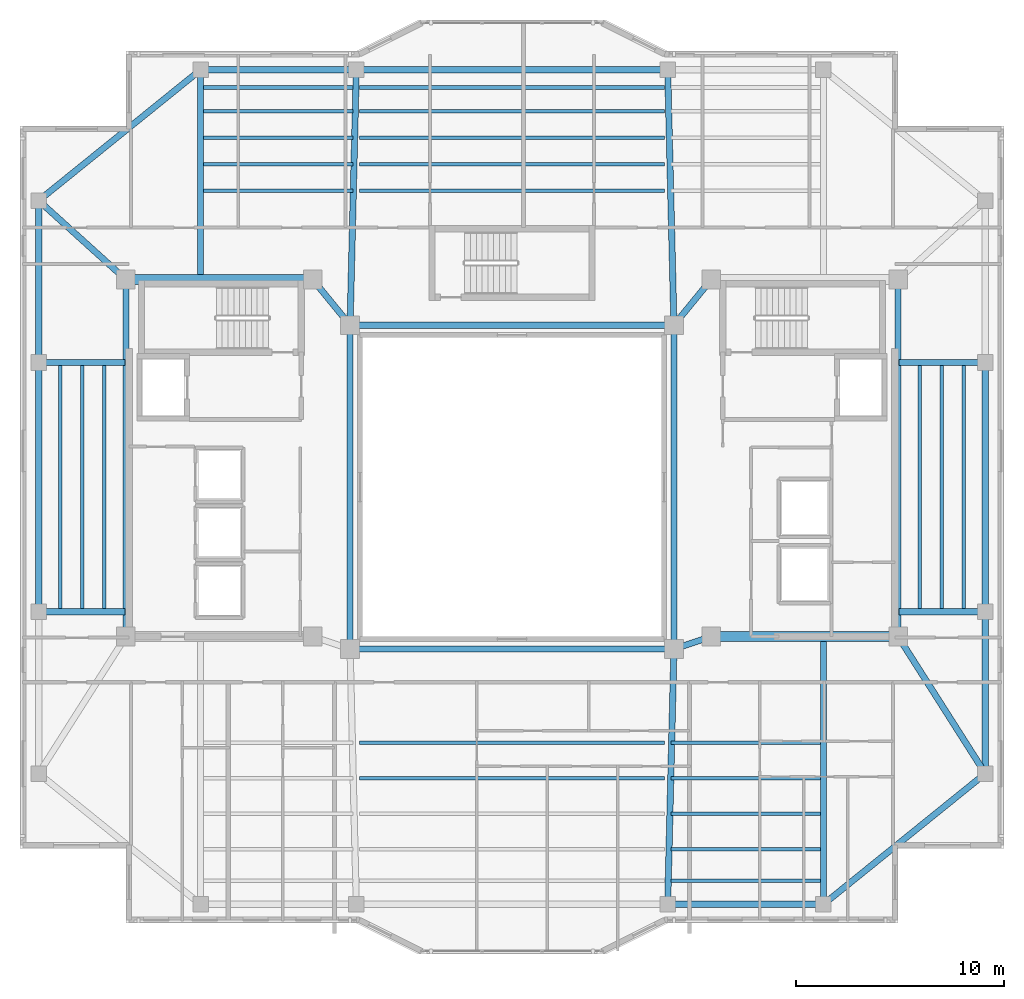
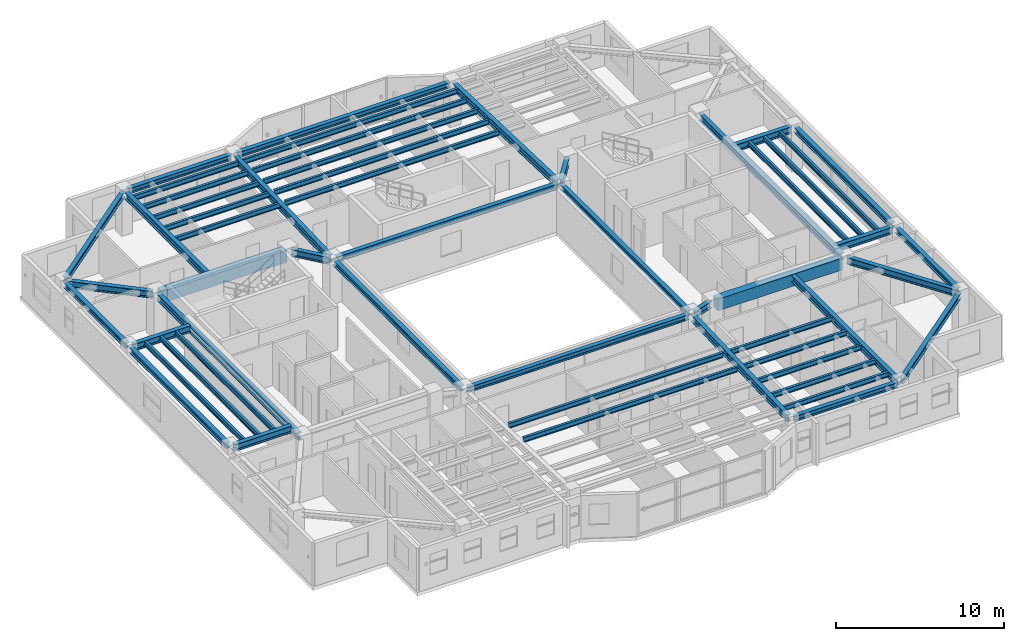
# One storey, part 3 of 14: 54 beams.
"""IFC4 building model written with IfcOpenShell, lengths in metres."""

from ifc_helpers import new_model, si_unit, direction, frame, origin, origin_2d, place, context, subcontext, project, spatial, rectangle, i_section, extrude, material, material_profile, profile_set, type_object, element, save


model = new_model("IFC4")

# Units and contexts
model_context = context("Model", 3, precision=1e-05, world=origin(), true_north=direction((0.0, 1.0)))
body_context = subcontext(model_context, "Body", "Model", "MODEL_VIEW")
ifc_project = project(units=[si_unit("LENGTHUNIT", "METRE"), si_unit("AREAUNIT", "SQUARE_METRE"), si_unit("VOLUMEUNIT", "CUBIC_METRE"), si_unit("PLANEANGLEUNIT", "RADIAN"), si_unit("MASSUNIT", "GRAM", prefix="KILO")], contexts=[model_context])

# Site, building, storey
site_placement = place(None, origin())
site = spatial("IfcSite", under=ifc_project, at=site_placement, CompositionType="ELEMENT")
building_placement = place(site_placement, origin())
building = spatial("IfcBuilding", under=site, at=building_placement, Name="Tarnavaz Court Tower", CompositionType="ELEMENT")
storey_placement = place(building_placement, frame((0.0, 0.0, 190.25)))
storey = spatial("IfcBuildingStorey", under=building, at=storey_placement, Name="L51", CompositionType="ELEMENT", Elevation=190.25)

# Beams
ifc_material_1 = material(Name="Concrete C50/60", Category="concrete")
ifc_material_profile_1 = material_profile(ifc_material_1, rectangle(XDim=0.5, YDim=0.85009765625, at=origin_2d()), Name="RC 500X850")
ifc_profile_set_1 = profile_set([ifc_material_profile_1], Name="Concrete C50/60")
beam_type_1 = type_object("IfcBeamType", Name="BM-CB850", PredefinedType="LINTEL", material=ifc_profile_set_1)
for number, where, z_axis, x_axis, name in (
    (1, (-18.3798828125, 10.0, 2.675048828125), (1.0, 0.0, 0.0), (0.0, 1.0, 0.0), "L51 Beam IN-CW-NO-CW-NI"),
    (2, (18.3798828125, -7.199951171875, 2.675048828125), (-1.0, 0.0, 0.0), (0.0, -1.0, 0.0), "L51 Beam IN-CE-SO-CE-SI"),
):
    element("IfcBeam", number, at=place(storey_placement, frame(where, z_axis=z_axis, x_axis=x_axis)), inside=storey, type_object=beam_type_1, Name=name, PredefinedType="LINTEL", context=body_context, shape_type="SweptSolid", body=[
        extrude(rectangle(XDim=0.5, YDim=0.85009765625, at=origin_2d()), origin(), (0.0, 0.0, 1.0), 8.559814453125),
    ])
ifc_material_2 = material(Name="Steel S355", Category="steel")
ifc_material_profile_2 = material_profile(ifc_material_2, i_section(OverallWidth=0.300048828125, OverallDepth=0.5, WebThickness=0.014404296875, FlangeThickness=0.028076171875, FilletRadius=0.027099609375, at=origin_2d()), Name="HEB 500")
ifc_profile_set_2 = profile_set([ifc_material_profile_2], Name="Steel S355")
beam_type_2 = type_object("IfcBeamType", Name="BM-G-HEB500", PredefinedType="USERDEFINED", material=ifc_profile_set_2)
beam_1_placement = place(storey_placement, frame((9.391357421875, -7.26953125, 2.85009765625), z_axis=(-0.948666544706, -0.316278021615, 0.0), x_axis=(0.316278021615, -0.948666544706, 0.0)))
element("IfcBeam", 3, at=beam_1_placement, inside=storey, type_object=beam_type_2, Name="L51 Beam IN-CE-SI-IW-SE", ObjectType="GIRDER", PredefinedType="USERDEFINED", context=body_context, shape_type="SweptSolid", body=[
    extrude(i_section(OverallWidth=0.300048828125, OverallDepth=0.5, WebThickness=0.014404296875, FlangeThickness=0.028076171875, FilletRadius=0.027099609375, at=origin_2d()), origin(), (0.0, 0.0, 1.0), 1.457275390625),
])
for number, where, z_axis, x_axis, name in (
    (4, (-9.460693359375, 9.82958984375, 2.85009765625), (0.633282058357, -0.773921077735, 0.0), (0.773921077735, 0.633282058357, 0.0), "L51 Beam IN-CW-NI-IW-NW"),
    (5, (9.460693359375, 9.82958984375, 2.85009765625), (-0.633282058357, -0.773921077735, 0.0), (0.773921077735, -0.633282058357, 0.0), "L51 Beam IN-CE-NI-IW-NE"),
):
    element("IfcBeam", number, at=place(storey_placement, frame(where, z_axis=z_axis, x_axis=x_axis)), inside=storey, type_object=beam_type_2, Name=name, ObjectType="GIRDER", PredefinedType="USERDEFINED", context=body_context, shape_type="SweptSolid", body=[
        extrude(i_section(OverallWidth=0.300048828125, OverallDepth=0.5, WebThickness=0.014404296875, FlangeThickness=0.028076171875, FilletRadius=0.027099609375, at=origin_2d()), origin(), (0.0, 0.0, 1.0), 2.402587890625),
    ])
for number, where, z_axis, x_axis, name in (
    (6, (-18.60009765625, -6.97998046875, 2.85009765625), (0.0, 1.0, 0.0), (-1.0, 0.0, 0.0), "L51 Beam IN-CW-SO-CW-NO"),
    (7, (18.60009765625, -6.97998046875, 2.85009765625), (0.0, 1.0, 0.0), (-1.0, 0.0, 0.0), "L51 Beam IN-CE-SO-CE-NO"),
):
    element("IfcBeam", number, at=place(storey_placement, frame(where, z_axis=z_axis, x_axis=x_axis)), inside=storey, type_object=beam_type_2, Name=name, ObjectType="GIRDER", PredefinedType="USERDEFINED", context=body_context, shape_type="SweptSolid", body=[
        extrude(i_section(OverallWidth=0.300048828125, OverallDepth=0.5, WebThickness=0.014404296875, FlangeThickness=0.028076171875, FilletRadius=0.027099609375, at=origin_2d()), origin(), (0.0, 0.0, 1.0), 16.760009765625),
    ])
beam_2_placement = place(storey_placement, frame((-15.0, 10.0400390625, 2.85009765625), z_axis=(0.0, 1.0, 0.0), x_axis=(-1.0, 0.0, 0.0)))
element("IfcBeam", 8, at=beam_2_placement, inside=storey, type_object=beam_type_2, Name="L51 Beam RG-01", ObjectType="GIRDER", PredefinedType="USERDEFINED", context=body_context, shape_type="SweptSolid", body=[
    extrude(i_section(OverallWidth=0.300048828125, OverallDepth=0.5, WebThickness=0.014404296875, FlangeThickness=0.028076171875, FilletRadius=0.027099609375, at=origin_2d()), origin(), (0.0, 0.0, 1.0), 9.83984375),
])
for number, where, z_axis, x_axis, name in (
    (9, (-7.794677734375, 8.02001953125, 2.85009765625), (0.024386002211, 0.99970261723, 0.0), (-0.99970261723, 0.024386002211, 0.0), "L51 Beam RG-02"),
    (10, (7.794677734375, 8.02001953125, 2.85009765625), (-0.024386002211, 0.99970261723, 0.0), (-0.99970261723, -0.024386002211, 0.0), "L51 Beam RG-03"),
    (11, (7.794677734375, -8.02001953125, 2.85009765625), (-0.024386002211, -0.99970261723, 0.0), (0.99970261723, -0.024386002211, 0.0), "L51 Beam RG-07"),
):
    element("IfcBeam", number, at=place(storey_placement, frame(where, z_axis=z_axis, x_axis=x_axis)), inside=storey, type_object=beam_type_2, Name=name, ObjectType="GIRDER", PredefinedType="USERDEFINED", context=body_context, shape_type="SweptSolid", body=[
        extrude(i_section(OverallWidth=0.300048828125, OverallDepth=0.5, WebThickness=0.014404296875, FlangeThickness=0.028076171875, FilletRadius=0.027099609375, at=origin_2d()), origin(), (0.0, 0.0, 1.0), 11.863525390625),
    ])
beam_3_placement = place(storey_placement, frame((15.0, -7.239990234375, 2.85009765625), z_axis=(0.0, -1.0, 0.0), x_axis=(1.0, 0.0, 0.0)))
element("IfcBeam", 12, at=beam_3_placement, inside=storey, type_object=beam_type_2, Name="L51 Beam RG-08", ObjectType="GIRDER", PredefinedType="USERDEFINED", context=body_context, shape_type="SweptSolid", body=[
    extrude(i_section(OverallWidth=0.300048828125, OverallDepth=0.5, WebThickness=0.014404296875, FlangeThickness=0.028076171875, FilletRadius=0.027099609375, at=origin_2d()), origin(), (0.0, 0.0, 1.0), 12.639892578125),
])
for number, where, z_axis, x_axis, name in (
    (13, (18.639892578125, -6.0, 2.85009765625), (1.0, 0.0, 0.0), (0.0, 1.0, 0.0), "L51 Beam RG-09"),
    (14, (18.639892578125, 6.0, 2.85009765625), (1.0, 0.0, 0.0), (0.0, 1.0, 0.0), "L51 Beam RG-10"),
):
    element("IfcBeam", number, at=place(storey_placement, frame(where, z_axis=z_axis, x_axis=x_axis)), inside=storey, type_object=beam_type_2, Name=name, ObjectType="GIRDER", PredefinedType="USERDEFINED", context=body_context, shape_type="SweptSolid", body=[
        extrude(i_section(OverallWidth=0.300048828125, OverallDepth=0.5, WebThickness=0.014404296875, FlangeThickness=0.028076171875, FilletRadius=0.027099609375, at=origin_2d()), origin(), (0.0, 0.0, 1.0), 3.940185546875),
    ])
beam_4_placement = place(storey_placement, frame((18.718017578125, -7.385498046875, 2.85009765625), z_axis=(0.536871212964, -0.843664210863, 0.0), x_axis=(0.843664210863, 0.536871212964, 0.0)))
element("IfcBeam", 15, at=beam_4_placement, inside=storey, type_object=beam_type_2, Name="L51 Beam RG-11", ObjectType="GIRDER", PredefinedType="USERDEFINED", context=body_context, shape_type="SweptSolid", body=[
    extrude(i_section(OverallWidth=0.300048828125, OverallDepth=0.5, WebThickness=0.014404296875, FlangeThickness=0.028076171875, FilletRadius=0.027099609375, at=origin_2d()), origin(), (0.0, 0.0, 1.0), 7.38330078125),
])
for number, where, z_axis, x_axis, name in (
    (16, (-18.639892578125, -6.0, 2.85009765625), (-1.0, 0.0, 0.0), (0.0, -1.0, 0.0), "L51 Beam RG-13"),
    (17, (-18.639892578125, 6.0, 2.85009765625), (-1.0, 0.0, 0.0), (0.0, -1.0, 0.0), "L51 Beam RG-14"),
):
    element("IfcBeam", number, at=place(storey_placement, frame(where, z_axis=z_axis, x_axis=x_axis)), inside=storey, type_object=beam_type_2, Name=name, ObjectType="GIRDER", PredefinedType="USERDEFINED", context=body_context, shape_type="SweptSolid", body=[
        extrude(i_section(OverallWidth=0.300048828125, OverallDepth=0.5, WebThickness=0.014404296875, FlangeThickness=0.028076171875, FilletRadius=0.027099609375, at=origin_2d()), origin(), (0.0, 0.0, 1.0), 3.940185546875),
    ])
beam_5_placement = place(storey_placement, frame((-18.76318359375, 10.147705078125, 2.85009765625), z_axis=(-0.741555708494, 0.670891296113, 0.0), x_axis=(-0.670891296113, -0.741555708494, 0.0)))
element("IfcBeam", 18, at=beam_5_placement, inside=storey, type_object=beam_type_2, Name="L51 Beam RG-16", ObjectType="GIRDER", PredefinedType="USERDEFINED", context=body_context, shape_type="SweptSolid", body=[
    extrude(i_section(OverallWidth=0.300048828125, OverallDepth=0.5, WebThickness=0.014404296875, FlangeThickness=0.028076171875, FilletRadius=0.027099609375, at=origin_2d()), origin(), (0.0, 0.0, 1.0), 5.223876953125),
])
ifc_material_profile_3 = material_profile(ifc_material_2, i_section(OverallWidth=0.169921875, OverallDepth=0.360107421875, WebThickness=0.008056640625, FlangeThickness=0.0126953125, FilletRadius=0.01806640625, at=origin_2d()), Name="IPE 360")
ifc_profile_set_3 = profile_set([ifc_material_profile_3], Name="Steel S355")
beam_type_3 = type_object("IfcBeamType", Name="BM-J-IPE360", PredefinedType="JOIST", material=ifc_profile_set_3)
beam_6_placement = place(storey_placement, frame((-14.85009765625, 14.278076171875, 2.919921875), z_axis=(1.0, 0.0, 0.0), x_axis=(0.0, 1.0, 0.0)))
element("IfcBeam", 19, at=beam_6_placement, inside=storey, type_object=beam_type_3, Name="L51 Beam JN1-1", PredefinedType="JOIST", context=body_context, shape_type="SweptSolid", body=[
    extrude(i_section(OverallWidth=0.169921875, OverallDepth=0.360107421875, WebThickness=0.008056640625, FlangeThickness=0.0126953125, FilletRadius=0.01806640625, at=origin_2d()), origin(), (0.0, 0.0, 1.0), 7.2001953125),
])
for number, where, z_axis, x_axis, name in (
    (20, (-7.35009765625, 14.278076171875, 2.919921875), (1.0, 0.0, 0.0), (0.0, 1.0, 0.0), "L51 Beam JN1-2"),
    (21, (-7.35009765625, -12.31005859375, 2.919921875), (1.0, 0.0, 0.0), (0.0, 1.0, 0.0), "L51 Beam JS1-2"),
):
    element("IfcBeam", number, at=place(storey_placement, frame(where, z_axis=z_axis, x_axis=x_axis)), inside=storey, type_object=beam_type_3, Name=name, PredefinedType="JOIST", context=body_context, shape_type="SweptSolid", body=[
        extrude(i_section(OverallWidth=0.169921875, OverallDepth=0.360107421875, WebThickness=0.008056640625, FlangeThickness=0.0126953125, FilletRadius=0.01806640625, at=origin_2d()), origin(), (0.0, 0.0, 1.0), 14.7001953125),
    ])
for number, where, z_axis, x_axis, name in (
    (22, (7.64990234375, -12.31005859375, 2.919921875), (1.0, 0.0, 0.0), (0.0, 1.0, 0.0), "L51 Beam JS1-3"),
    (23, (-14.85009765625, 15.555908203125, 2.919921875), (1.0, 0.0, 0.0), (0.0, 1.0, 0.0), "L51 Beam JN2-1"),
):
    element("IfcBeam", number, at=place(storey_placement, frame(where, z_axis=z_axis, x_axis=x_axis)), inside=storey, type_object=beam_type_3, Name=name, PredefinedType="JOIST", context=body_context, shape_type="SweptSolid", body=[
        extrude(i_section(OverallWidth=0.169921875, OverallDepth=0.360107421875, WebThickness=0.008056640625, FlangeThickness=0.0126953125, FilletRadius=0.01806640625, at=origin_2d()), origin(), (0.0, 0.0, 1.0), 7.2001953125),
    ])
for number, where, z_axis, x_axis, name in (
    (24, (-7.35009765625, 15.555908203125, 2.919921875), (1.0, 0.0, 0.0), (0.0, 1.0, 0.0), "L51 Beam JN2-2"),
    (25, (-7.35009765625, -14.02001953125, 2.919921875), (1.0, 0.0, 0.0), (0.0, 1.0, 0.0), "L51 Beam JS2-2"),
):
    element("IfcBeam", number, at=place(storey_placement, frame(where, z_axis=z_axis, x_axis=x_axis)), inside=storey, type_object=beam_type_3, Name=name, PredefinedType="JOIST", context=body_context, shape_type="SweptSolid", body=[
        extrude(i_section(OverallWidth=0.169921875, OverallDepth=0.360107421875, WebThickness=0.008056640625, FlangeThickness=0.0126953125, FilletRadius=0.01806640625, at=origin_2d()), origin(), (0.0, 0.0, 1.0), 14.7001953125),
    ])
for number, where, z_axis, x_axis, name in (
    (26, (7.64990234375, -14.02001953125, 2.919921875), (1.0, 0.0, 0.0), (0.0, 1.0, 0.0), "L51 Beam JS2-3"),
    (27, (-14.85009765625, 16.833984375, 2.919921875), (1.0, 0.0, 0.0), (0.0, 1.0, 0.0), "L51 Beam JN3-1"),
):
    element("IfcBeam", number, at=place(storey_placement, frame(where, z_axis=z_axis, x_axis=x_axis)), inside=storey, type_object=beam_type_3, Name=name, PredefinedType="JOIST", context=body_context, shape_type="SweptSolid", body=[
        extrude(i_section(OverallWidth=0.169921875, OverallDepth=0.360107421875, WebThickness=0.008056640625, FlangeThickness=0.0126953125, FilletRadius=0.01806640625, at=origin_2d()), origin(), (0.0, 0.0, 1.0), 7.2001953125),
    ])
beam_7_placement = place(storey_placement, frame((-7.35009765625, 16.833984375, 2.919921875), z_axis=(1.0, 0.0, 0.0), x_axis=(0.0, 1.0, 0.0)))
element("IfcBeam", 28, at=beam_7_placement, inside=storey, type_object=beam_type_3, Name="L51 Beam JN3-2", PredefinedType="JOIST", context=body_context, shape_type="SweptSolid", body=[
    extrude(i_section(OverallWidth=0.169921875, OverallDepth=0.360107421875, WebThickness=0.008056640625, FlangeThickness=0.0126953125, FilletRadius=0.01806640625, at=origin_2d()), origin(), (0.0, 0.0, 1.0), 14.7001953125),
])
for number, where, z_axis, x_axis, name in (
    (29, (7.64990234375, -15.72998046875, 2.919921875), (1.0, 0.0, 0.0), (0.0, 1.0, 0.0), "L51 Beam JS3-3"),
    (30, (-14.85009765625, 18.112060546875, 2.919921875), (1.0, 0.0, 0.0), (0.0, 1.0, 0.0), "L51 Beam JN4-1"),
):
    element("IfcBeam", number, at=place(storey_placement, frame(where, z_axis=z_axis, x_axis=x_axis)), inside=storey, type_object=beam_type_3, Name=name, PredefinedType="JOIST", context=body_context, shape_type="SweptSolid", body=[
        extrude(i_section(OverallWidth=0.169921875, OverallDepth=0.360107421875, WebThickness=0.008056640625, FlangeThickness=0.0126953125, FilletRadius=0.01806640625, at=origin_2d()), origin(), (0.0, 0.0, 1.0), 7.2001953125),
    ])
beam_8_placement = place(storey_placement, frame((-7.35009765625, 18.112060546875, 2.919921875), z_axis=(1.0, 0.0, 0.0), x_axis=(0.0, 1.0, 0.0)))
element("IfcBeam", 31, at=beam_8_placement, inside=storey, type_object=beam_type_3, Name="L51 Beam JN4-2", PredefinedType="JOIST", context=body_context, shape_type="SweptSolid", body=[
    extrude(i_section(OverallWidth=0.169921875, OverallDepth=0.360107421875, WebThickness=0.008056640625, FlangeThickness=0.0126953125, FilletRadius=0.01806640625, at=origin_2d()), origin(), (0.0, 0.0, 1.0), 14.7001953125),
])
for number, where, z_axis, x_axis, name in (
    (32, (7.64990234375, -17.43994140625, 2.919921875), (1.0, 0.0, 0.0), (0.0, 1.0, 0.0), "L51 Beam JS4-3"),
    (33, (-14.85009765625, 19.248046875, 2.919921875), (1.0, 0.0, 0.0), (0.0, 1.0, 0.0), "L51 Beam JN5-1"),
):
    element("IfcBeam", number, at=place(storey_placement, frame(where, z_axis=z_axis, x_axis=x_axis)), inside=storey, type_object=beam_type_3, Name=name, PredefinedType="JOIST", context=body_context, shape_type="SweptSolid", body=[
        extrude(i_section(OverallWidth=0.169921875, OverallDepth=0.360107421875, WebThickness=0.008056640625, FlangeThickness=0.0126953125, FilletRadius=0.01806640625, at=origin_2d()), origin(), (0.0, 0.0, 1.0), 7.2001953125),
    ])
beam_9_placement = place(storey_placement, frame((-7.35009765625, 19.248046875, 2.919921875), z_axis=(1.0, 0.0, 0.0), x_axis=(0.0, 1.0, 0.0)))
element("IfcBeam", 34, at=beam_9_placement, inside=storey, type_object=beam_type_3, Name="L51 Beam JN5-2", PredefinedType="JOIST", context=body_context, shape_type="SweptSolid", body=[
    extrude(i_section(OverallWidth=0.169921875, OverallDepth=0.360107421875, WebThickness=0.008056640625, FlangeThickness=0.0126953125, FilletRadius=0.01806640625, at=origin_2d()), origin(), (0.0, 0.0, 1.0), 14.7001953125),
])
beam_10_placement = place(storey_placement, frame((7.64990234375, -18.9599609375, 2.919921875), z_axis=(1.0, 0.0, 0.0), x_axis=(0.0, 1.0, 0.0)))
element("IfcBeam", 35, at=beam_10_placement, inside=storey, type_object=beam_type_3, Name="L51 Beam JS5-3", PredefinedType="JOIST", context=body_context, shape_type="SweptSolid", body=[
    extrude(i_section(OverallWidth=0.169921875, OverallDepth=0.360107421875, WebThickness=0.008056640625, FlangeThickness=0.0126953125, FilletRadius=0.01806640625, at=origin_2d()), origin(), (0.0, 0.0, 1.0), 7.2001953125),
])
for number, where, z_axis, x_axis, name in (
    (36, (19.64990234375, -5.9599609375, 2.919921875), (0.0, 1.0, 0.0), (-1.0, 0.0, 0.0), "L51 Beam JE1"),
    (37, (-19.64990234375, -5.9599609375, 2.919921875), (0.0, 1.0, 0.0), (-1.0, 0.0, 0.0), "L51 Beam JW1"),
    (38, (20.699951171875, -5.9599609375, 2.919921875), (0.0, 1.0, 0.0), (-1.0, 0.0, 0.0), "L51 Beam JE2"),
    (39, (-20.699951171875, -5.9599609375, 2.919921875), (0.0, 1.0, 0.0), (-1.0, 0.0, 0.0), "L51 Beam JW2"),
    (40, (21.75, -5.9599609375, 2.919921875), (0.0, 1.0, 0.0), (-1.0, 0.0, 0.0), "L51 Beam JE3"),
    (41, (-21.75, -5.9599609375, 2.919921875), (0.0, 1.0, 0.0), (-1.0, 0.0, 0.0), "L51 Beam JW3"),
):
    element("IfcBeam", number, at=place(storey_placement, frame(where, z_axis=z_axis, x_axis=x_axis)), inside=storey, type_object=beam_type_3, Name=name, PredefinedType="JOIST", context=body_context, shape_type="SweptSolid", body=[
        extrude(i_section(OverallWidth=0.169921875, OverallDepth=0.360107421875, WebThickness=0.008056640625, FlangeThickness=0.0126953125, FilletRadius=0.01806640625, at=origin_2d()), origin(), (0.0, 0.0, 1.0), 11.919921875),
    ])
ifc_material_profile_4 = material_profile(ifc_material_2, i_section(OverallWidth=0.300048828125, OverallDepth=0.389892578125, WebThickness=0.010986328125, FlangeThickness=0.01904296875, FilletRadius=0.027099609375, at=origin_2d()), Name="HEA 400")
ifc_profile_set_4 = profile_set([ifc_material_profile_4], Name="Steel S355")
beam_type_4 = type_object("IfcBeamType", Name="BM-SP-HEA400", PredefinedType="BEAM", material=ifc_profile_set_4)
for number, where, z_axis, x_axis, name in (
    (42, (-7.580078125, -7.800048828125, 2.905029296875), (1.0, 0.0, 0.0), (0.0, 1.0, 0.0), "L51 Beam IN-IW-SW-IW-SE"),
    (43, (-7.580078125, 7.800048828125, 2.905029296875), (1.0, 0.0, 0.0), (0.0, 1.0, 0.0), "L51 Beam IN-IW-NW-IW-NE"),
    (44, (-7.800048828125, -7.580078125, 2.905029296875), (0.0, 1.0, 0.0), (-1.0, 0.0, 0.0), "L51 Beam IN-IW-SW-IW-NW"),
    (45, (7.800048828125, -7.580078125, 2.905029296875), (0.0, 1.0, 0.0), (-1.0, 0.0, 0.0), "L51 Beam IN-IW-SE-IW-NE"),
):
    element("IfcBeam", number, at=place(storey_placement, frame(where, z_axis=z_axis, x_axis=x_axis)), inside=storey, type_object=beam_type_4, Name=name, PredefinedType="BEAM", context=body_context, shape_type="SweptSolid", body=[
        extrude(i_section(OverallWidth=0.300048828125, OverallDepth=0.389892578125, WebThickness=0.010986328125, FlangeThickness=0.01904296875, FilletRadius=0.027099609375, at=origin_2d()), origin(), (0.0, 0.0, 1.0), 15.16015625),
    ])
beam_11_placement = place(storey_placement, frame((-14.780029296875, 20.10009765625, 2.905029296875), z_axis=(1.0, 0.0, 0.0), x_axis=(0.0, 1.0, 0.0)))
element("IfcBeam", 46, at=beam_11_placement, inside=storey, type_object=beam_type_4, Name="L51 Beam PR-PN-1-PN-2", PredefinedType="BEAM", context=body_context, shape_type="SweptSolid", body=[
    extrude(i_section(OverallWidth=0.300048828125, OverallDepth=0.389892578125, WebThickness=0.010986328125, FlangeThickness=0.01904296875, FilletRadius=0.027099609375, at=origin_2d()), origin(), (0.0, 0.0, 1.0), 7.06005859375),
])
beam_12_placement = place(storey_placement, frame((-7.280029296875, 20.10009765625, 2.905029296875), z_axis=(1.0, 0.0, 0.0), x_axis=(0.0, 1.0, 0.0)))
element("IfcBeam", 47, at=beam_12_placement, inside=storey, type_object=beam_type_4, Name="L51 Beam PR-PN-2-PN-3", PredefinedType="BEAM", context=body_context, shape_type="SweptSolid", body=[
    extrude(i_section(OverallWidth=0.300048828125, OverallDepth=0.389892578125, WebThickness=0.010986328125, FlangeThickness=0.01904296875, FilletRadius=0.027099609375, at=origin_2d()), origin(), (0.0, 0.0, 1.0), 14.56005859375),
])
beam_13_placement = place(storey_placement, frame((7.719970703125, -20.10009765625, 2.905029296875), z_axis=(1.0, 0.0, 0.0), x_axis=(0.0, 1.0, 0.0)))
element("IfcBeam", 48, at=beam_13_placement, inside=storey, type_object=beam_type_4, Name="L51 Beam PR-PS-3-PS-4", PredefinedType="BEAM", context=body_context, shape_type="SweptSolid", body=[
    extrude(i_section(OverallWidth=0.300048828125, OverallDepth=0.389892578125, WebThickness=0.010986328125, FlangeThickness=0.01904296875, FilletRadius=0.027099609375, at=origin_2d()), origin(), (0.0, 0.0, 1.0), 7.06005859375),
])
beam_14_placement = place(storey_placement, frame((22.800048828125, -13.580078125, 2.905029296875), z_axis=(0.0, 1.0, 0.0), x_axis=(-1.0, 0.0, 0.0)))
element("IfcBeam", 49, at=beam_14_placement, inside=storey, type_object=beam_type_4, Name="L51 Beam PR-PE-1-PE-2", PredefinedType="BEAM", context=body_context, shape_type="SweptSolid", body=[
    extrude(i_section(OverallWidth=0.300048828125, OverallDepth=0.389892578125, WebThickness=0.010986328125, FlangeThickness=0.01904296875, FilletRadius=0.027099609375, at=origin_2d()), origin(), (0.0, 0.0, 1.0), 7.360107421875),
])
for number, where, z_axis, x_axis, name in (
    (50, (22.800048828125, -5.780029296875, 2.905029296875), (0.0, 1.0, 0.0), (-1.0, 0.0, 0.0), "L51 Beam PR-PE-2-PE-3"),
    (51, (-22.800048828125, -5.780029296875, 2.905029296875), (0.0, 1.0, 0.0), (-1.0, 0.0, 0.0), "L51 Beam PR-PW-2-PW-3"),
):
    element("IfcBeam", number, at=place(storey_placement, frame(where, z_axis=z_axis, x_axis=x_axis)), inside=storey, type_object=beam_type_4, Name=name, PredefinedType="BEAM", context=body_context, shape_type="SweptSolid", body=[
        extrude(i_section(OverallWidth=0.300048828125, OverallDepth=0.389892578125, WebThickness=0.010986328125, FlangeThickness=0.01904296875, FilletRadius=0.027099609375, at=origin_2d()), origin(), (0.0, 0.0, 1.0), 11.56005859375),
    ])
beam_15_placement = place(storey_placement, frame((-22.800048828125, 6.219970703125, 2.905029296875), z_axis=(0.0, 1.0, 0.0), x_axis=(-1.0, 0.0, 0.0)))
element("IfcBeam", 52, at=beam_15_placement, inside=storey, type_object=beam_type_4, Name="L51 Beam PR-PW-3-PW-4", PredefinedType="BEAM", context=body_context, shape_type="SweptSolid", body=[
    extrude(i_section(OverallWidth=0.300048828125, OverallDepth=0.389892578125, WebThickness=0.010986328125, FlangeThickness=0.01904296875, FilletRadius=0.027099609375, at=origin_2d()), origin(), (0.0, 0.0, 1.0), 7.360107421875),
])
for number, where, z_axis, x_axis, name in (
    (53, (22.62890625, -13.938232421875, 2.905029296875), (-0.777935913531, -0.628343627674, 0.0), (0.628343627674, -0.777935913531, 0.0), "L51 Beam PR-PE-1-PS-4"),
    (54, (-22.62890625, 13.938232421875, 2.905029296875), (0.777935913531, 0.628343627674, 0.0), (-0.628343627674, 0.777935913531, 0.0), "L51 Beam PR-PW-4-PN-1"),
):
    element("IfcBeam", number, at=place(storey_placement, frame(where, z_axis=z_axis, x_axis=x_axis)), inside=storey, type_object=beam_type_4, Name=name, PredefinedType="BEAM", context=body_context, shape_type="SweptSolid", body=[
        extrude(i_section(OverallWidth=0.300048828125, OverallDepth=0.389892578125, WebThickness=0.010986328125, FlangeThickness=0.01904296875, FilletRadius=0.027099609375, at=origin_2d()), origin(), (0.0, 0.0, 1.0), 9.586669921875),
    ])

save(model, "model.ifc")
